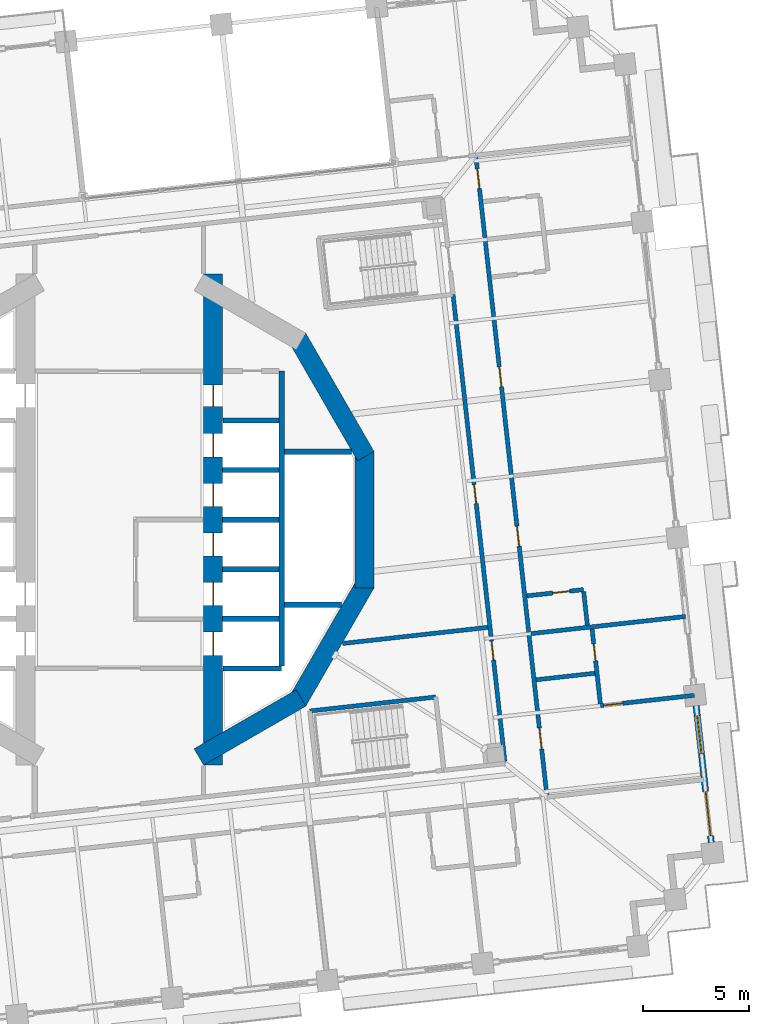
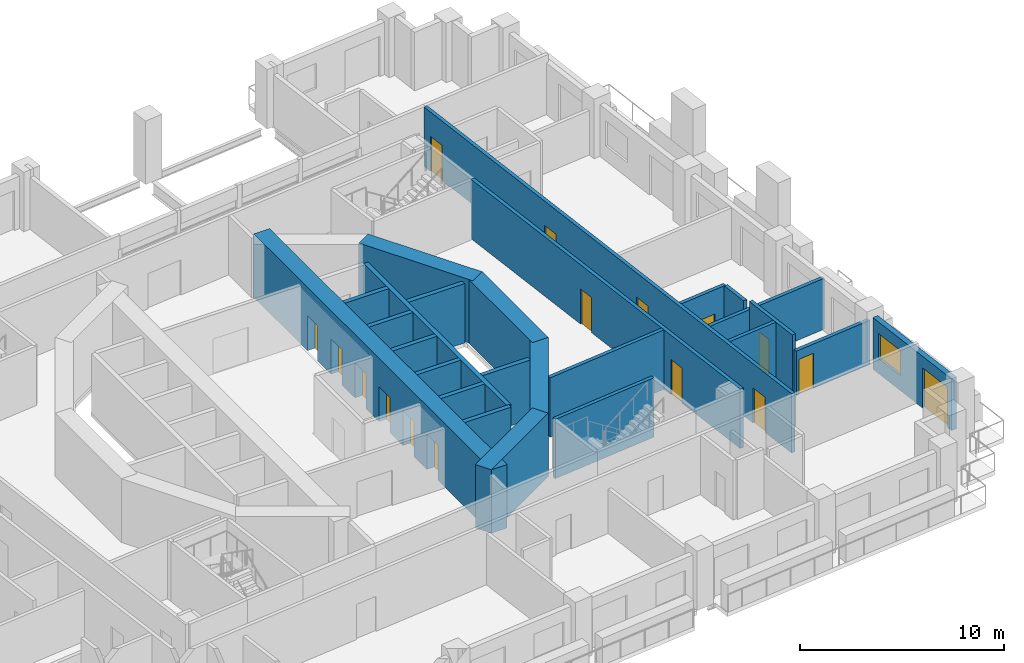
# One storey, part 10 of 20: 25 walls, 16 doors, 1 window, 17 openings.
"""IFC4 building model written with IfcOpenShell, lengths in metres."""

from ifc_helpers import new_model, si_unit, direction, frame, frame_2d, origin, place, context, subcontext, project, spatial, rectangle, extrude, material, layer, layer_set, type_object, element, fill, save


model = new_model("IFC4")

# Units and contexts
model_context = context("Model", 3, precision=1e-05, world=origin(), true_north=direction((0.0, 1.0)))
body_context = subcontext(model_context, "Body", "Model", "MODEL_VIEW")
ifc_project = project(units=[si_unit("LENGTHUNIT", "METRE"), si_unit("AREAUNIT", "SQUARE_METRE"), si_unit("VOLUMEUNIT", "CUBIC_METRE"), si_unit("PLANEANGLEUNIT", "RADIAN"), si_unit("MASSUNIT", "GRAM", prefix="KILO")], contexts=[model_context])

# Site, building, storey
site_placement = place(None, origin())
site = spatial("IfcSite", under=ifc_project, at=site_placement, CompositionType="ELEMENT")
building_placement = place(site_placement, origin())
building = spatial("IfcBuilding", under=site, at=building_placement, Name="Cantera Rosa Tower", CompositionType="ELEMENT")
storey_placement = place(building_placement, frame((0.0, 0.0, 50.10009765625)))
storey = spatial("IfcBuildingStorey", under=building, at=storey_placement, Name="L09", CompositionType="ELEMENT", Elevation=50.10009765625)

# Wall, openings, doors
ifc_material_1 = material(Name="Gypsum board partition")
ifc_layer_1 = layer(ifc_material_1, 0.199951171875)
ifc_layer_set_1 = layer_set([ifc_layer_1], Name="CORRIDOR WALL 200 H3550")
wall_type_1 = type_object("IfcWallType", Name="CORRIDOR WALL 200 H3550", PredefinedType="PARTITIONING", material=ifc_layer_set_1)
wall_1_placement = place(storey_placement, frame((18.27490234375, -11.453857421875, 0.0), z_axis=(0.0, 0.0, 1.0), x_axis=(-0.110303935969, 0.993897903061, 0.0)))
wall_1 = element("IfcWall", 1, at=wall_1_placement, inside=storey, type_object=wall_type_1, Name="CORRIDOR WALL L09-106", PredefinedType="PARTITIONING", context=body_context, shape_type="SweptSolid", body=[
    extrude(rectangle(XDim=22.26171875, YDim=0.199951171875, at=frame_2d((11.130859375, 0.0))), origin(), (0.0, 0.0, 1.0), 3.5498046875),
])
opening_1_placement = place(wall_1_placement, frame((12.294677734375, 0.0, 0.0)))
opening_1 = element("IfcOpeningElement", 2, at=opening_1_placement, cuts=wall_1, Name="Opening L09-005", PredefinedType="OPENING", context=body_context, shape_type="SweptSolid", body=[
    extrude(rectangle(XDim=0.89990234375, YDim=2.10009765625, at=frame_2d((0.449951171875, 1.050048828125))), frame((0.0, 0.10986328125, 0.0), z_axis=(0.0, -1.0, 0.0), x_axis=(1.0, 0.0, 0.0)), (0.0, 0.0, 1.0), 0.219970703125),
])
opening_2_placement = place(wall_1_placement, frame((4.830078125, 0.0, 0.0)))
opening_2 = element("IfcOpeningElement", 3, at=opening_2_placement, cuts=wall_1, Name="Opening L09-009", PredefinedType="OPENING", context=body_context, shape_type="SweptSolid", body=[
    extrude(rectangle(XDim=0.89990234375, YDim=2.10009765625, at=frame_2d((0.449951171875, 1.050048828125))), frame((0.0, 0.10986328125, 0.0), z_axis=(0.0, -1.0, 0.0), x_axis=(1.0, 0.0, 0.0)), (0.0, 0.0, 1.0), 0.219970703125),
])
ifc_material_2 = material(Name="Timber door leaf", Category="wood")
door_type_1 = type_object("IfcDoorType", Name="SERVICE DOOR 900x2100", OperationType="NOTDEFINED", PredefinedType="DOOR", material=ifc_material_2)
door_1_placement = place(opening_1_placement, origin())
door_1 = element("IfcDoor", 4, at=door_1_placement, inside=storey, type_object=door_type_1, Name="DOOR L09-005", OperationType="NOTDEFINED", OverallHeight=2.10009765625, OverallWidth=0.89990234375, PredefinedType="DOOR", context=body_context, shape_type="SweptSolid", body=[
    extrude(rectangle(XDim=0.89990234375, YDim=2.10009765625, at=frame_2d((0.449951171875, 1.050048828125))), frame((0.0, 0.02490234375, 0.0), z_axis=(0.0, -1.0, 0.0), x_axis=(1.0, 0.0, 0.0)), (0.0, 0.0, 1.0), 0.050048828125),
])
fill(opening_1, door_1)
door_2_placement = place(opening_2_placement, origin())
door_2 = element("IfcDoor", 5, at=door_2_placement, inside=storey, type_object=door_type_1, Name="DOOR L09-009", OperationType="NOTDEFINED", OverallHeight=2.10009765625, OverallWidth=0.89990234375, PredefinedType="DOOR", context=body_context, shape_type="SweptSolid", body=[
    extrude(rectangle(XDim=0.89990234375, YDim=2.10009765625, at=frame_2d((0.449951171875, 1.050048828125))), frame((0.0, 0.02490234375, 0.0), z_axis=(0.0, -1.0, 0.0), x_axis=(1.0, 0.0, 0.0)), (0.0, 0.0, 1.0), 0.050048828125),
])
fill(opening_2, door_2)

wall_2_placement = place(storey_placement, frame((20.2626953125, -13.04443359375, 0.0), z_axis=(0.0, 0.0, 1.0), x_axis=(-0.110312530755, 0.993896949164, 0.0)))
wall_2 = element("IfcWall", 6, at=wall_2_placement, inside=storey, type_object=wall_type_1, Name="CORRIDOR WALL L09-113", PredefinedType="PARTITIONING", context=body_context, shape_type="SweptSolid", body=[
    extrude(rectangle(XDim=30.400146484375, YDim=0.199951171875, at=frame_2d((15.2001953125, 0.0))), origin(), (0.0, 0.0, 1.0), 3.5498046875),
])
opening_3_placement = place(wall_2_placement, frame((2.18994140625, 0.0, 0.0)))
opening_3 = element("IfcOpeningElement", 7, at=opening_3_placement, cuts=wall_2, Name="Opening L09-016", PredefinedType="OPENING", context=body_context, shape_type="SweptSolid", body=[
    extrude(rectangle(XDim=1.0, YDim=2.10009765625, at=frame_2d((0.5, 1.050048828125))), frame((0.0, 0.10986328125, 0.0), z_axis=(0.0, -1.0, 0.0), x_axis=(1.0, 0.0, 0.0)), (0.0, 0.0, 1.0), 0.219970703125),
])
opening_4_placement = place(wall_2_placement, frame((11.864990234375, 0.0, 0.0)))
opening_4 = element("IfcOpeningElement", 8, at=opening_4_placement, cuts=wall_2, Name="Opening L09-019", PredefinedType="OPENING", context=body_context, shape_type="SweptSolid", body=[
    extrude(rectangle(XDim=0.949951171875, YDim=2.10009765625, at=frame_2d((0.47509765625, 1.050048828125))), frame((0.0, 0.10986328125, 0.0), z_axis=(0.0, -1.0, 0.0), x_axis=(1.0, 0.0, 0.0)), (0.0, 0.0, 1.0), 0.219970703125),
])
opening_5_placement = place(wall_2_placement, frame((19.465087890625, 0.0, 0.0)))
opening_5 = element("IfcOpeningElement", 9, at=opening_5_placement, cuts=wall_2, Name="Opening L09-021", PredefinedType="OPENING", context=body_context, shape_type="SweptSolid", body=[
    extrude(rectangle(XDim=0.949951171875, YDim=2.10009765625, at=frame_2d((0.47509765625, 1.050048828125))), frame((0.0, 0.10986328125, 0.0), z_axis=(0.0, -1.0, 0.0), x_axis=(1.0, 0.0, 0.0)), (0.0, 0.0, 1.0), 0.219970703125),
])
opening_6_placement = place(wall_2_placement, frame((28.9150390625, 0.0, 0.0)))
opening_6 = element("IfcOpeningElement", 10, at=opening_6_placement, cuts=wall_2, Name="Opening L09-023", PredefinedType="OPENING", context=body_context, shape_type="SweptSolid", body=[
    extrude(rectangle(XDim=0.949951171875, YDim=2.10009765625, at=frame_2d((0.47509765625, 1.050048828125))), frame((0.0, 0.10986328125, 0.0), z_axis=(0.0, -1.0, 0.0), x_axis=(1.0, 0.0, 0.0)), (0.0, 0.0, 1.0), 0.219970703125),
])
ifc_material_3 = material(Name="Timber door leaf", Category="wood")
door_type_2 = type_object("IfcDoorType", Name="ENTRANCE DOOR 1000x2100", OperationType="NOTDEFINED", PredefinedType="DOOR", material=ifc_material_3)
door_3_placement = place(opening_3_placement, origin())
door_3 = element("IfcDoor", 11, at=door_3_placement, inside=storey, type_object=door_type_2, Name="DOOR L09-016", OperationType="NOTDEFINED", OverallHeight=2.10009765625, OverallWidth=1.0, PredefinedType="DOOR", context=body_context, shape_type="SweptSolid", body=[
    extrude(rectangle(XDim=1.0, YDim=2.10009765625, at=frame_2d((0.5, 1.050048828125))), frame((0.0, 0.02490234375, 0.0), z_axis=(0.0, -1.0, 0.0), x_axis=(1.0, 0.0, 0.0)), (0.0, 0.0, 1.0), 0.050048828125),
])
fill(opening_3, door_3)
ifc_material_4 = material(Name="Timber door leaf", Category="wood")
door_type_3 = type_object("IfcDoorType", Name="ROOM DOOR 950x2100", OperationType="NOTDEFINED", PredefinedType="DOOR", material=ifc_material_4)
door_4_placement = place(opening_4_placement, origin())
door_4 = element("IfcDoor", 12, at=door_4_placement, inside=storey, type_object=door_type_3, Name="DOOR L09-019", OperationType="NOTDEFINED", OverallHeight=2.10009765625, OverallWidth=0.949951171875, PredefinedType="DOOR", context=body_context, shape_type="SweptSolid", body=[
    extrude(rectangle(XDim=0.949951171875, YDim=2.10009765625, at=frame_2d((0.47509765625, 1.050048828125))), frame((0.0, 0.02490234375, 0.0), z_axis=(0.0, -1.0, 0.0), x_axis=(1.0, 0.0, 0.0)), (0.0, 0.0, 1.0), 0.050048828125),
])
fill(opening_4, door_4)
door_5_placement = place(opening_5_placement, origin())
door_5 = element("IfcDoor", 13, at=door_5_placement, inside=storey, type_object=door_type_3, Name="DOOR L09-021", OperationType="NOTDEFINED", OverallHeight=2.10009765625, OverallWidth=0.949951171875, PredefinedType="DOOR", context=body_context, shape_type="SweptSolid", body=[
    extrude(rectangle(XDim=0.949951171875, YDim=2.10009765625, at=frame_2d((0.47509765625, 1.050048828125))), frame((0.0, 0.02490234375, 0.0), z_axis=(0.0, -1.0, 0.0), x_axis=(1.0, 0.0, 0.0)), (0.0, 0.0, 1.0), 0.050048828125),
])
fill(opening_5, door_5)
door_6_placement = place(opening_6_placement, origin())
door_6 = element("IfcDoor", 14, at=door_6_placement, inside=storey, type_object=door_type_3, Name="DOOR L09-023", OperationType="NOTDEFINED", OverallHeight=2.10009765625, OverallWidth=0.949951171875, PredefinedType="DOOR", context=body_context, shape_type="SweptSolid", body=[
    extrude(rectangle(XDim=0.949951171875, YDim=2.10009765625, at=frame_2d((0.47509765625, 1.050048828125))), frame((0.0, 0.02490234375, 0.0), z_axis=(0.0, -1.0, 0.0), x_axis=(1.0, 0.0, 0.0)), (0.0, 0.0, 1.0), 0.050048828125),
])
fill(opening_6, door_6)

# Wall, openings, window, door
ifc_material_5 = material(Name="Hollow clay masonry with cantera stone cladding", Category="masonry")
ifc_layer_2 = layer(ifc_material_5, 0.300048828125)
ifc_layer_set_2 = layer_set([ifc_layer_2], Name="EW-LOGGIA 300 H3090")
wall_type_2 = type_object("IfcWallType", Name="EW-LOGGIA 300 H3090", PredefinedType="SOLIDWALL", material=ifc_layer_set_2)
wall_3_placement = place(storey_placement, frame((28.058837890625, -15.298095703125, 0.0), z_axis=(0.0, 0.0, 1.0), x_axis=(-0.110312341265, 0.993896970196, 0.0)))
wall_3 = element("IfcWall", 15, at=wall_3_placement, inside=storey, type_object=wall_type_2, Name="EN-L09-W01", PredefinedType="SOLIDWALL", context=body_context, shape_type="SweptSolid", body=[
    extrude(rectangle(XDim=6.52001953125, YDim=0.300048828125, at=frame_2d((3.260009765625, 0.0))), origin(), (0.0, 0.0, 1.0), 3.08984375),
])
opening_7_placement = place(wall_3_placement, frame((0.330078125, 0.0, 0.0)))
opening_7 = element("IfcOpeningElement", 16, at=opening_7_placement, cuts=wall_3, Name="Opening L09-TD01", PredefinedType="OPENING", context=body_context, shape_type="SweptSolid", body=[
    extrude(rectangle(XDim=2.10009765625, YDim=2.39990234375, at=frame_2d((1.050048828125, 1.199951171875))), frame((0.0, 0.159912109375, 0.0), z_axis=(0.0, -1.0, 0.0), x_axis=(1.0, 0.0, 0.0)), (0.0, 0.0, 1.0), 0.320068359375),
])
opening_8_placement = place(wall_3_placement, frame((4.239990234375, 0.0, 0.89990234375)))
opening_8 = element("IfcOpeningElement", 17, at=opening_8_placement, cuts=wall_3, Name="Opening L09-W02", PredefinedType="OPENING", context=body_context, shape_type="SweptSolid", body=[
    extrude(rectangle(XDim=1.800048828125, YDim=1.5, at=frame_2d((0.89990234375, 0.75))), frame((0.0, 0.159912109375, 0.0), z_axis=(0.0, -1.0, 0.0), x_axis=(1.0, 0.0, 0.0)), (0.0, 0.0, 1.0), 0.320068359375),
])
ifc_material_6 = material(Name="Aluminium frame with clear glass", Category="aluminium")
window_type = type_object("IfcWindowType", Name="Hotel room window 1800x1500", PartitioningType="DOUBLE_PANEL_VERTICAL", PredefinedType="WINDOW", material=ifc_material_6)
window_placement = place(opening_8_placement, origin())
window = element("IfcWindow", 18, at=window_placement, inside=storey, type_object=window_type, Name="WINDOW L09-W02", OverallHeight=1.5, OverallWidth=1.800048828125, PartitioningType="SINGLE_PANEL", PredefinedType="WINDOW", context=body_context, shape_type="SweptSolid", body=[
    extrude(rectangle(XDim=1.800048828125, YDim=1.5, at=frame_2d((0.89990234375, 0.75))), frame((0.0, 0.030029296875, 0.0), z_axis=(0.0, -1.0, 0.0), x_axis=(1.0, 0.0, 0.0)), (0.0, 0.0, 1.0), 0.06005859375),
])
fill(opening_8, window)
ifc_material_7 = material(Name="Aluminium frame with clear glass", Category="aluminium")
door_type_4 = type_object("IfcDoorType", Name="TD-H 2100x2400", OperationType="NOTDEFINED", PredefinedType="DOOR", material=ifc_material_7)
door_7_placement = place(opening_7_placement, origin())
door_7 = element("IfcDoor", 19, at=door_7_placement, inside=storey, type_object=door_type_4, Name="LOGGIA DOOR L09-TD01", OperationType="SLIDING_TO_LEFT", OverallHeight=2.39990234375, OverallWidth=2.10009765625, PredefinedType="DOOR", context=body_context, shape_type="SweptSolid", body=[
    extrude(rectangle(XDim=2.10009765625, YDim=2.39990234375, at=frame_2d((1.050048828125, 1.199951171875))), frame((0.0, 0.02490234375, 0.0), z_axis=(0.0, -1.0, 0.0), x_axis=(1.0, 0.0, 0.0)), (0.0, 0.0, 1.0), 0.050048828125),
])
fill(opening_7, door_7)

# Wall, opening, door
ifc_material_8 = material(Name="Gypsum board partition")
ifc_layer_3 = layer(ifc_material_8, 0.199951171875)
ifc_layer_set_3 = layer_set([ifc_layer_3], Name="PARTITION 200 H2650")
wall_type_3 = type_object("IfcWallType", Name="PARTITION 200 H2650", PredefinedType="PARTITIONING", material=ifc_layer_set_3)
wall_4_placement = place(storey_placement, frame((27.254638671875, -8.32421875, 0.0), z_axis=(0.0, 0.0, 1.0), x_axis=(-0.993895052822, -0.11032961514, 0.0)))
wall_4 = element("IfcWall", 20, at=wall_4_placement, inside=storey, type_object=wall_type_3, Name="PARTITION L09-118", PredefinedType="PARTITIONING", context=body_context, shape_type="SweptSolid", body=[
    extrude(rectangle(XDim=4.469970703125, YDim=0.199951171875, at=frame_2d((2.23486328125, 0.0))), origin(), (0.0, 0.0, 1.0), 2.64990234375),
])
opening_9_placement = place(wall_4_placement, frame((3.419921875, 0.0, 0.0)))
opening_9 = element("IfcOpeningElement", 21, at=opening_9_placement, cuts=wall_4, Name="Opening L09-017", PredefinedType="OPENING", context=body_context, shape_type="SweptSolid", body=[
    extrude(rectangle(XDim=0.89990234375, YDim=2.10009765625, at=frame_2d((0.449951171875, 1.050048828125))), frame((0.0, 0.10986328125, 0.0), z_axis=(0.0, -1.0, 0.0), x_axis=(1.0, 0.0, 0.0)), (0.0, 0.0, 1.0), 0.219970703125),
])
ifc_material_9 = material(Name="Timber door leaf", Category="wood")
door_type_5 = type_object("IfcDoorType", Name="ROOM DOOR 900x2100", OperationType="NOTDEFINED", PredefinedType="DOOR", material=ifc_material_9)
door_8_placement = place(opening_9_placement, origin())
door_8 = element("IfcDoor", 22, at=door_8_placement, inside=storey, type_object=door_type_5, Name="DOOR L09-017", OperationType="NOTDEFINED", OverallHeight=2.10009765625, OverallWidth=0.89990234375, PredefinedType="DOOR", context=body_context, shape_type="SweptSolid", body=[
    extrude(rectangle(XDim=0.89990234375, YDim=2.10009765625, at=frame_2d((0.449951171875, 1.050048828125))), frame((0.0, 0.02490234375, 0.0), z_axis=(0.0, -1.0, 0.0), x_axis=(1.0, 0.0, 0.0)), (0.0, 0.0, 1.0), 0.050048828125),
])
fill(opening_9, door_8)

# Wall
ifc_material_10 = material(Name="Gypsum board partition")
ifc_layer_4 = layer(ifc_material_10, 0.199951171875)
ifc_layer_set_4 = layer_set([ifc_layer_4], Name="PARTITION 200 H3550")
wall_type_4 = type_object("IfcWallType", Name="PARTITION 200 H3550", PredefinedType="PARTITIONING", material=ifc_layer_set_4)
wall_5_placement = place(storey_placement, frame((17.4697265625, -5.10400390625, 0.0), z_axis=(0.0, 0.0, 1.0), x_axis=(-0.993897488751, -0.110307669061, 0.0)))
element("IfcWall", 23, at=wall_5_placement, inside=storey, type_object=wall_type_4, Name="PARTITION L09-104", PredefinedType="PARTITIONING", context=body_context, shape_type="SweptSolid", body=[
    extrude(rectangle(XDim=6.923095703125, YDim=0.199951171875, at=frame_2d((3.46142578125, 0.0))), origin(), (0.0, 0.0, 1.0), 3.5498046875),
])

# Wall, opening, door
wall_6_placement = place(storey_placement, frame((19.31640625, -3.611083984375, 0.0), z_axis=(0.0, 0.0, 1.0), x_axis=(0.993905770718, 0.110233021063, 0.0)))
wall_6 = element("IfcWall", 24, at=wall_6_placement, inside=storey, type_object=wall_type_4, Name="PARTITION L09-110", PredefinedType="PARTITIONING", context=body_context, shape_type="SweptSolid", body=[
    extrude(rectangle(XDim=2.69970703125, YDim=0.199951171875, at=frame_2d((1.349853515625, 0.0))), origin(), (0.0, 0.0, 1.0), 3.5498046875),
])
opening_10_placement = place(wall_6_placement, frame((1.236083984375, 0.0, 0.0)))
opening_10 = element("IfcOpeningElement", 25, at=opening_10_placement, cuts=wall_6, Name="Opening L09-020", PredefinedType="OPENING", context=body_context, shape_type="SweptSolid", body=[
    extrude(rectangle(XDim=0.800048828125, YDim=2.10009765625, at=frame_2d((0.39990234375, 1.050048828125))), frame((0.0, 0.10986328125, 0.0), z_axis=(0.0, -1.0, 0.0), x_axis=(1.0, 0.0, 0.0)), (0.0, 0.0, 1.0), 0.219970703125),
])
ifc_material_11 = material(Name="Timber door leaf", Category="wood")
door_type_6 = type_object("IfcDoorType", Name="BATHROOM DOOR 800x2100", OperationType="NOTDEFINED", PredefinedType="DOOR", material=ifc_material_11)
door_9_placement = place(opening_10_placement, origin())
door_9 = element("IfcDoor", 26, at=door_9_placement, inside=storey, type_object=door_type_6, Name="DOOR L09-020", OperationType="NOTDEFINED", OverallHeight=2.10009765625, OverallWidth=0.800048828125, PredefinedType="DOOR", context=body_context, shape_type="SweptSolid", body=[
    extrude(rectangle(XDim=0.800048828125, YDim=2.10009765625, at=frame_2d((0.39990234375, 1.050048828125))), frame((0.0, 0.02490234375, 0.0), z_axis=(0.0, -1.0, 0.0), x_axis=(1.0, 0.0, 0.0)), (0.0, 0.0, 1.0), 0.050048828125),
])
fill(opening_10, door_9)

# Walls
wall_7_placement = place(storey_placement, frame((22.0107421875, -3.412841796875, 0.0), z_axis=(0.0, 0.0, 1.0), x_axis=(0.110331031706, -0.993894895571, 0.0)))
element("IfcWall", 27, at=wall_7_placement, inside=storey, type_object=wall_type_4, Name="PARTITION L09-115", PredefinedType="PARTITIONING", context=body_context, shape_type="SweptSolid", body=[
    extrude(rectangle(XDim=1.599853515625, YDim=0.199951171875, at=frame_2d((0.7998046875, 0.0))), origin(), (0.0, 0.0, 1.0), 3.5498046875),
])
wall_8_placement = place(storey_placement, frame((22.540283203125, -7.27783203125, 0.0), z_axis=(0.0, 0.0, 1.0), x_axis=(-0.99388798752, -0.110393243744, 0.0)))
element("IfcWall", 28, at=wall_8_placement, inside=storey, type_object=wall_type_4, Name="PARTITION L09-116", PredefinedType="PARTITIONING", context=body_context, shape_type="SweptSolid", body=[
    extrude(rectangle(XDim=2.7998046875, YDim=0.199951171875, at=frame_2d((1.39990234375, 0.0))), origin(), (0.0, 0.0, 1.0), 3.5498046875),
])

# Wall, opening, door
wall_9_placement = place(storey_placement, frame((22.80078125, -8.718017578125, 0.0), z_axis=(0.0, 0.0, 1.0), x_axis=(-0.110273460699, 0.993901284769, 0.0)))
wall_9 = element("IfcWall", 29, at=wall_9_placement, inside=storey, type_object=wall_type_4, Name="PARTITION L09-117", PredefinedType="PARTITIONING", context=body_context, shape_type="SweptSolid", body=[
    extrude(rectangle(XDim=3.56005859375, YDim=0.199951171875, at=frame_2d((1.780029296875, 0.0))), origin(), (0.0, 0.0, 1.0), 3.5498046875),
])
opening_11_placement = place(wall_9_placement, frame((2.050048828125, 0.0, 0.0)))
opening_11 = element("IfcOpeningElement", 30, at=opening_11_placement, cuts=wall_9, Name="Opening L09-018", PredefinedType="OPENING", context=body_context, shape_type="SweptSolid", body=[
    extrude(rectangle(XDim=0.800048828125, YDim=2.10009765625, at=frame_2d((0.39990234375, 1.050048828125))), frame((0.0, 0.10986328125, 0.0), z_axis=(0.0, -1.0, 0.0), x_axis=(1.0, 0.0, 0.0)), (0.0, 0.0, 1.0), 0.219970703125),
])
door_10_placement = place(opening_11_placement, origin())
door_10 = element("IfcDoor", 31, at=door_10_placement, inside=storey, type_object=door_type_6, Name="DOOR L09-018", OperationType="NOTDEFINED", OverallHeight=2.10009765625, OverallWidth=0.800048828125, PredefinedType="DOOR", context=body_context, shape_type="SweptSolid", body=[
    extrude(rectangle(XDim=0.800048828125, YDim=2.10009765625, at=frame_2d((0.39990234375, 1.050048828125))), frame((0.0, 0.02490234375, 0.0), z_axis=(0.0, -1.0, 0.0), x_axis=(1.0, 0.0, 0.0)), (0.0, 0.0, 1.0), 0.050048828125),
])
fill(opening_11, door_10)

# Walls
ifc_material_12 = material(Name="Gypsum board partition")
ifc_layer_5 = layer(ifc_material_12, 0.199951171875)
ifc_layer_set_5 = layer_set([ifc_layer_5], Name="PARTY WALL 200 H3050")
wall_type_5 = type_object("IfcWallType", Name="PARTY WALL 200 H3050", PredefinedType="PARTITIONING", material=ifc_layer_set_5)
wall_10_placement = place(storey_placement, frame((19.514892578125, -5.400146484375, 0.0), z_axis=(0.0, 0.0, 1.0), x_axis=(0.993897058864, 0.11031154238, 0.0)))
element("IfcWall", 32, at=wall_10_placement, inside=storey, type_object=wall_type_5, Name="PARTY WALL L09-111", PredefinedType="PARTITIONING", context=body_context, shape_type="SweptSolid", body=[
    extrude(rectangle(XDim=7.369873046875, YDim=0.199951171875, at=frame_2d((3.68505859375, 0.0))), origin(), (0.0, 0.0, 1.0), 3.0498046875),
])
ifc_material_13 = material(Name="Concrete C70/85", Category="concrete")
ifc_layer_6 = layer(ifc_material_13, 0.89990234375)
ifc_layer_set_6 = layer_set([ifc_layer_6], Name="RC CORE WALL 900 C70/85")
wall_type_6 = type_object("IfcWallType", Name="RC CORE WALL 900 C70/85", PredefinedType="SHEAR", material=ifc_layer_set_6)
wall_11_placement = place(storey_placement, frame((8.44921875, 8.61376953125, 0.0), z_axis=(0.0, 0.0, 1.0), x_axis=(0.499990282633, -0.866031014036, 0.0)))
element("IfcWall", 33, at=wall_11_placement, inside=storey, type_object=wall_type_6, Name="CW-E2 L09", PredefinedType="SHEAR", context=body_context, shape_type="SweptSolid", body=[
    extrude(rectangle(XDim=6.470458984375, YDim=0.89990234375, at=frame_2d((3.2353515625, 0.0))), origin(), (0.0, 0.0, 1.0), 3.7998046875),
])
wall_12_placement = place(storey_placement, frame((11.6240234375, 3.2353515625, 0.0), z_axis=(0.0, 0.0, 1.0), x_axis=(0.0, -1.0, 0.0)))
element("IfcWall", 34, at=wall_12_placement, inside=storey, type_object=wall_type_6, Name="CW-E3 L09", PredefinedType="SHEAR", context=body_context, shape_type="SweptSolid", body=[
    extrude(rectangle(XDim=6.470703125, YDim=0.89990234375, at=frame_2d((3.2353515625, 0.0))), origin(), (0.0, 0.0, 1.0), 3.7998046875),
])
wall_13_placement = place(storey_placement, frame((11.684326171875, -3.01025390625, 0.0), z_axis=(0.0, 0.0, 1.0), x_axis=(-0.499990282633, -0.866031014036, 0.0)))
element("IfcWall", 35, at=wall_13_placement, inside=storey, type_object=wall_type_6, Name="CW-E4 L09", PredefinedType="SHEAR", context=body_context, shape_type="SweptSolid", body=[
    extrude(rectangle(XDim=6.470458984375, YDim=0.89990234375, at=frame_2d((3.2353515625, 0.0))), origin(), (0.0, 0.0, 1.0), 3.7998046875),
])
wall_14_placement = place(storey_placement, frame((8.61376953125, -8.44921875, 0.0), z_axis=(0.0, 0.0, 1.0), x_axis=(-0.866026961591, -0.49999730179, 0.0)))
element("IfcWall", 36, at=wall_14_placement, inside=storey, type_object=wall_type_6, Name="CW-E5 L09", PredefinedType="SHEAR", context=body_context, shape_type="SweptSolid", body=[
    extrude(rectangle(XDim=5.58740234375, YDim=0.89990234375, at=frame_2d((2.793701171875, 0.0))), origin(), (0.0, 0.0, 1.0), 3.7998046875),
])

# Wall, openings, doors
wall_15_placement = place(storey_placement, frame((4.449951171875, -11.632568359375, 0.0), z_axis=(0.0, 0.0, 1.0), x_axis=(0.0, 1.0, 0.0)))
wall_15 = element("IfcWall", 37, at=wall_15_placement, inside=storey, type_object=wall_type_6, Name="CW-E6 L09", PredefinedType="SHEAR", context=body_context, shape_type="SweptSolid", body=[
    extrude(rectangle(XDim=23.26513671875, YDim=0.89990234375, at=frame_2d((11.632568359375, 0.0))), origin(), (0.0, 0.0, 1.0), 3.7998046875),
])
opening_12_placement = place(wall_15_placement, frame((7.5576171875, 0.0, 0.0)))
opening_12 = element("IfcOpeningElement", 38, at=opening_12_placement, cuts=wall_15, Name="Opening LD-FF1-L09", PredefinedType="OPENING", context=body_context, shape_type="SweptSolid", body=[
    extrude(rectangle(XDim=1.10009765625, YDim=2.10009765625, at=frame_2d((0.550048828125, 1.050048828125))), frame((0.0, 0.4599609375, 0.0), z_axis=(0.0, -1.0, 0.0), x_axis=(1.0, 0.0, 0.0)), (0.0, 0.0, 1.0), 0.919921875),
])
opening_13_placement = place(wall_15_placement, frame((9.907470703125, 0.0, 0.0)))
opening_13 = element("IfcOpeningElement", 39, at=opening_13_placement, cuts=wall_15, Name="Opening LD-FF2-L09", PredefinedType="OPENING", context=body_context, shape_type="SweptSolid", body=[
    extrude(rectangle(XDim=1.10009765625, YDim=2.10009765625, at=frame_2d((0.550048828125, 1.050048828125))), frame((0.0, 0.4599609375, 0.0), z_axis=(0.0, -1.0, 0.0), x_axis=(1.0, 0.0, 0.0)), (0.0, 0.0, 1.0), 0.919921875),
])
opening_14_placement = place(wall_15_placement, frame((12.257568359375, 0.0, 0.0)))
opening_14 = element("IfcOpeningElement", 40, at=opening_14_placement, cuts=wall_15, Name="Opening LD-P1-L09", PredefinedType="OPENING", context=body_context, shape_type="SweptSolid", body=[
    extrude(rectangle(XDim=1.10009765625, YDim=2.10009765625, at=frame_2d((0.550048828125, 1.050048828125))), frame((0.0, 0.4599609375, 0.0), z_axis=(0.0, -1.0, 0.0), x_axis=(1.0, 0.0, 0.0)), (0.0, 0.0, 1.0), 0.919921875),
])
opening_15_placement = place(wall_15_placement, frame((14.607421875, 0.0, 0.0)))
opening_15 = element("IfcOpeningElement", 41, at=opening_15_placement, cuts=wall_15, Name="Opening LD-P2-L09", PredefinedType="OPENING", context=body_context, shape_type="SweptSolid", body=[
    extrude(rectangle(XDim=1.10009765625, YDim=2.10009765625, at=frame_2d((0.550048828125, 1.050048828125))), frame((0.0, 0.4599609375, 0.0), z_axis=(0.0, -1.0, 0.0), x_axis=(1.0, 0.0, 0.0)), (0.0, 0.0, 1.0), 0.919921875),
])
opening_16_placement = place(wall_15_placement, frame((5.20751953125, 0.0, 0.0)))
opening_16 = element("IfcOpeningElement", 42, at=opening_16_placement, cuts=wall_15, Name="Opening LD-P6-L09", PredefinedType="OPENING", context=body_context, shape_type="SweptSolid", body=[
    extrude(rectangle(XDim=1.10009765625, YDim=2.10009765625, at=frame_2d((0.550048828125, 1.050048828125))), frame((0.0, 0.4599609375, 0.0), z_axis=(0.0, -1.0, 0.0), x_axis=(1.0, 0.0, 0.0)), (0.0, 0.0, 1.0), 0.919921875),
])
opening_17_placement = place(wall_15_placement, frame((17.007568359375, 0.0, 0.0)))
opening_17 = element("IfcOpeningElement", 43, at=opening_17_placement, cuts=wall_15, Name="Opening SD-L09-15", PredefinedType="OPENING", context=body_context, shape_type="SweptSolid", body=[
    extrude(rectangle(XDim=1.0, YDim=2.10009765625, at=frame_2d((0.5, 1.050048828125))), frame((0.0, 0.4599609375, 0.0), z_axis=(0.0, -1.0, 0.0), x_axis=(1.0, 0.0, 0.0)), (0.0, 0.0, 1.0), 0.919921875),
])
ifc_material_14 = material(Name="Steel S355J2 (EN 10025-2)", Category="steel")
door_type_7 = type_object("IfcDoorType", Name="LANDING DOOR 1100x2100", OperationType="NOTDEFINED", PredefinedType="DOOR", material=ifc_material_14)
door_11_placement = place(opening_12_placement, origin())
door_11 = element("IfcDoor", 44, at=door_11_placement, inside=storey, type_object=door_type_7, Name="LANDING DOOR FF1 L09", OperationType="SLIDING_TO_LEFT", OverallHeight=2.10009765625, OverallWidth=1.10009765625, PredefinedType="DOOR", context=body_context, shape_type="SweptSolid", body=[
    extrude(rectangle(XDim=1.10009765625, YDim=2.10009765625, at=frame_2d((0.550048828125, 1.050048828125))), frame((0.0, 0.02490234375, 0.0), z_axis=(0.0, -1.0, 0.0), x_axis=(1.0, 0.0, 0.0)), (0.0, 0.0, 1.0), 0.050048828125),
])
fill(opening_12, door_11)
door_12_placement = place(opening_13_placement, origin())
door_12 = element("IfcDoor", 45, at=door_12_placement, inside=storey, type_object=door_type_7, Name="LANDING DOOR FF2 L09", OperationType="SLIDING_TO_LEFT", OverallHeight=2.10009765625, OverallWidth=1.10009765625, PredefinedType="DOOR", context=body_context, shape_type="SweptSolid", body=[
    extrude(rectangle(XDim=1.10009765625, YDim=2.10009765625, at=frame_2d((0.550048828125, 1.050048828125))), frame((0.0, 0.02490234375, 0.0), z_axis=(0.0, -1.0, 0.0), x_axis=(1.0, 0.0, 0.0)), (0.0, 0.0, 1.0), 0.050048828125),
])
fill(opening_13, door_12)
door_13_placement = place(opening_14_placement, origin())
door_13 = element("IfcDoor", 46, at=door_13_placement, inside=storey, type_object=door_type_7, Name="LANDING DOOR P1 L09", OperationType="SLIDING_TO_LEFT", OverallHeight=2.10009765625, OverallWidth=1.10009765625, PredefinedType="DOOR", context=body_context, shape_type="SweptSolid", body=[
    extrude(rectangle(XDim=1.10009765625, YDim=2.10009765625, at=frame_2d((0.550048828125, 1.050048828125))), frame((0.0, 0.02490234375, 0.0), z_axis=(0.0, -1.0, 0.0), x_axis=(1.0, 0.0, 0.0)), (0.0, 0.0, 1.0), 0.050048828125),
])
fill(opening_14, door_13)
door_14_placement = place(opening_15_placement, origin())
door_14 = element("IfcDoor", 47, at=door_14_placement, inside=storey, type_object=door_type_7, Name="LANDING DOOR P2 L09", OperationType="SLIDING_TO_LEFT", OverallHeight=2.10009765625, OverallWidth=1.10009765625, PredefinedType="DOOR", context=body_context, shape_type="SweptSolid", body=[
    extrude(rectangle(XDim=1.10009765625, YDim=2.10009765625, at=frame_2d((0.550048828125, 1.050048828125))), frame((0.0, 0.02490234375, 0.0), z_axis=(0.0, -1.0, 0.0), x_axis=(1.0, 0.0, 0.0)), (0.0, 0.0, 1.0), 0.050048828125),
])
fill(opening_15, door_14)
door_15_placement = place(opening_16_placement, origin())
door_15 = element("IfcDoor", 48, at=door_15_placement, inside=storey, type_object=door_type_7, Name="LANDING DOOR P6 L09", OperationType="SLIDING_TO_LEFT", OverallHeight=2.10009765625, OverallWidth=1.10009765625, PredefinedType="DOOR", context=body_context, shape_type="SweptSolid", body=[
    extrude(rectangle(XDim=1.10009765625, YDim=2.10009765625, at=frame_2d((0.550048828125, 1.050048828125))), frame((0.0, 0.02490234375, 0.0), z_axis=(0.0, -1.0, 0.0), x_axis=(1.0, 0.0, 0.0)), (0.0, 0.0, 1.0), 0.050048828125),
])
fill(opening_16, door_15)
ifc_material_15 = material(Name="Timber door leaf", Category="wood")
door_type_8 = type_object("IfcDoorType", Name="SERVICE DOOR 1000x2100", OperationType="NOTDEFINED", PredefinedType="DOOR", material=ifc_material_15)
door_16_placement = place(opening_17_placement, origin())
door_16 = element("IfcDoor", 49, at=door_16_placement, inside=storey, type_object=door_type_8, Name="DOOR L09-SD15", OperationType="NOTDEFINED", OverallHeight=2.10009765625, OverallWidth=1.0, PredefinedType="DOOR", context=body_context, shape_type="SweptSolid", body=[
    extrude(rectangle(XDim=1.0, YDim=2.10009765625, at=frame_2d((0.5, 1.050048828125))), frame((0.0, 0.02490234375, 0.0), z_axis=(0.0, -1.0, 0.0), x_axis=(1.0, 0.0, 0.0)), (0.0, 0.0, 1.0), 0.050048828125),
])
fill(opening_17, door_16)

# Walls
ifc_material_16 = material(Name="Masonry blockwork", Category="masonry")
ifc_layer_7 = layer(ifc_material_16, 0.25)
ifc_layer_set_7 = layer_set([ifc_layer_7], Name="SHAFT WALL 250 H3550")
wall_type_7 = type_object("IfcWallType", Name="SHAFT WALL 250 H3550", PredefinedType="SOLIDWALL", material=ifc_layer_set_7)
for number, where, z_axis, x_axis, name in (
    (50, (4.89990234375, -4.699951171875, 0.0), (0.0, 0.0, 1.0), (1.0, 0.0, 0.0), "SHAFT WALL L09-065"),
    (51, (4.89990234375, 0.0, 0.0), (0.0, 0.0, 1.0), (1.0, 0.0, 0.0), "SHAFT WALL L09-066"),
):
    element("IfcWall", number, at=place(storey_placement, frame(where, z_axis=z_axis, x_axis=x_axis)), inside=storey, type_object=wall_type_7, Name=name, PredefinedType="SOLIDWALL", context=body_context, shape_type="SweptSolid", body=[
        extrude(rectangle(XDim=2.675048828125, YDim=0.25, at=frame_2d((1.33740234375, 0.0))), origin(), (0.0, 0.0, 1.0), 3.5498046875),
    ])
wall_16_placement = place(storey_placement, frame((4.929931640625, -7.050048828125, 0.0), z_axis=(0.0, 0.0, 1.0), x_axis=(1.0, 0.0, 0.0)))
element("IfcWall", 52, at=wall_16_placement, inside=storey, type_object=wall_type_7, Name="SHAFT WALL L09-067", PredefinedType="SOLIDWALL", context=body_context, shape_type="SweptSolid", body=[
    extrude(rectangle(XDim=2.77001953125, YDim=0.25, at=frame_2d((1.385009765625, 0.0))), origin(), (0.0, 0.0, 1.0), 3.5498046875),
])
wall_17_placement = place(storey_placement, frame((7.699951171875, -6.929931640625, 0.0), z_axis=(0.0, 0.0, 1.0), x_axis=(0.0, 1.0, 0.0)))
element("IfcWall", 53, at=wall_17_placement, inside=storey, type_object=wall_type_7, Name="SHAFT WALL L09-068", PredefinedType="SOLIDWALL", context=body_context, shape_type="SweptSolid", body=[
    extrude(rectangle(XDim=13.97998046875, YDim=0.25, at=frame_2d((6.989990234375, 0.0))), origin(), (0.0, 0.0, 1.0), 3.5498046875),
])
wall_18_placement = place(storey_placement, frame((7.824951171875, -4.029541015625, 0.0), z_axis=(0.0, 0.0, 1.0), x_axis=(1.0, 0.0, 0.0)))
element("IfcWall", 54, at=wall_18_placement, inside=storey, type_object=wall_type_7, Name="SHAFT WALL L09-069", PredefinedType="SOLIDWALL", context=body_context, shape_type="SweptSolid", body=[
    extrude(rectangle(XDim=2.716552734375, YDim=0.25, at=frame_2d((1.3583984375, 0.0))), origin(), (0.0, 0.0, 1.0), 3.5498046875),
])
for number, where, z_axis, x_axis, name in (
    (55, (7.574951171875, -2.35009765625, 0.0), (0.0, 0.0, 1.0), (-1.0, 0.0, 0.0), "SHAFT WALL L09-070"),
    (56, (7.574951171875, 2.35009765625, 0.0), (0.0, 0.0, 1.0), (-1.0, 0.0, 0.0), "SHAFT WALL L09-071"),
):
    element("IfcWall", number, at=place(storey_placement, frame(where, z_axis=z_axis, x_axis=x_axis)), inside=storey, type_object=wall_type_7, Name=name, PredefinedType="SOLIDWALL", context=body_context, shape_type="SweptSolid", body=[
        extrude(rectangle(XDim=2.675048828125, YDim=0.25, at=frame_2d((1.33740234375, 0.0))), origin(), (0.0, 0.0, 1.0), 3.5498046875),
    ])
wall_19_placement = place(storey_placement, frame((7.824951171875, 3.2236328125, 0.0), z_axis=(0.0, 0.0, 1.0), x_axis=(1.0, 0.0, 0.0)))
element("IfcWall", 57, at=wall_19_placement, inside=storey, type_object=wall_type_7, Name="SHAFT WALL L09-072", PredefinedType="SOLIDWALL", context=body_context, shape_type="SweptSolid", body=[
    extrude(rectangle(XDim=3.181884765625, YDim=0.25, at=frame_2d((1.5908203125, 0.0))), origin(), (0.0, 0.0, 1.0), 3.5498046875),
])
wall_20_placement = place(storey_placement, frame((7.574951171875, 4.699951171875, 0.0), z_axis=(0.0, 0.0, 1.0), x_axis=(-1.0, 0.0, 0.0)))
element("IfcWall", 58, at=wall_20_placement, inside=storey, type_object=wall_type_7, Name="SHAFT WALL L09-073", PredefinedType="SOLIDWALL", context=body_context, shape_type="SweptSolid", body=[
    extrude(rectangle(XDim=2.64501953125, YDim=0.25, at=frame_2d((1.322509765625, 0.0))), origin(), (0.0, 0.0, 1.0), 3.5498046875),
])
ifc_material_17 = material(Name="Concrete C50/60", Category="concrete")
ifc_layer_8 = layer(ifc_material_17, 0.199951171875)
ifc_layer_set_8 = layer_set([ifc_layer_8], Name="STAIR WALL 200 H3550")
wall_type_8 = type_object("IfcWallType", Name="STAIR WALL 200 H3550", PredefinedType="SOLIDWALL", material=ifc_layer_set_8)
wall_21_placement = place(storey_placement, frame((14.996826171875, -8.404296875, 0.0), z_axis=(0.0, 0.0, 1.0), x_axis=(-0.993897125329, -0.110310943534, 0.0)))
element("IfcWall", 59, at=wall_21_placement, inside=storey, type_object=wall_type_8, Name="STAIR WALL L09-086", PredefinedType="SOLIDWALL", context=body_context, shape_type="SweptSolid", body=[
    extrude(rectangle(XDim=6.0, YDim=0.199951171875, at=frame_2d((3.0, 0.0))), origin(), (0.0, 0.0, 1.0), 3.5498046875),
])

save(model, "model.ifc")
